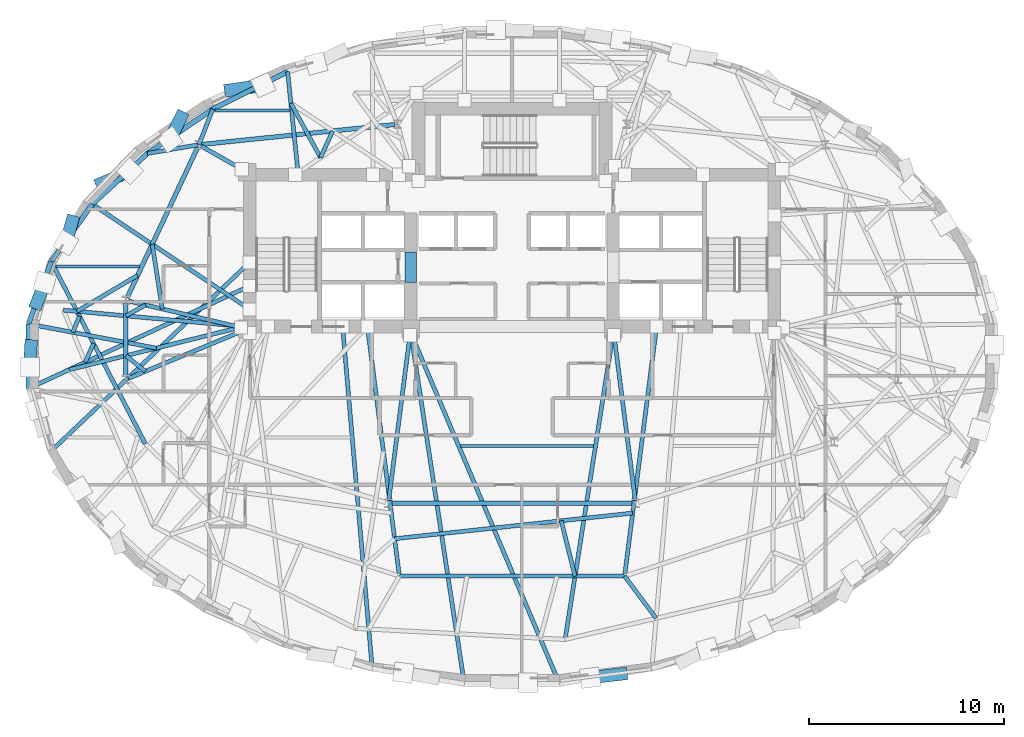
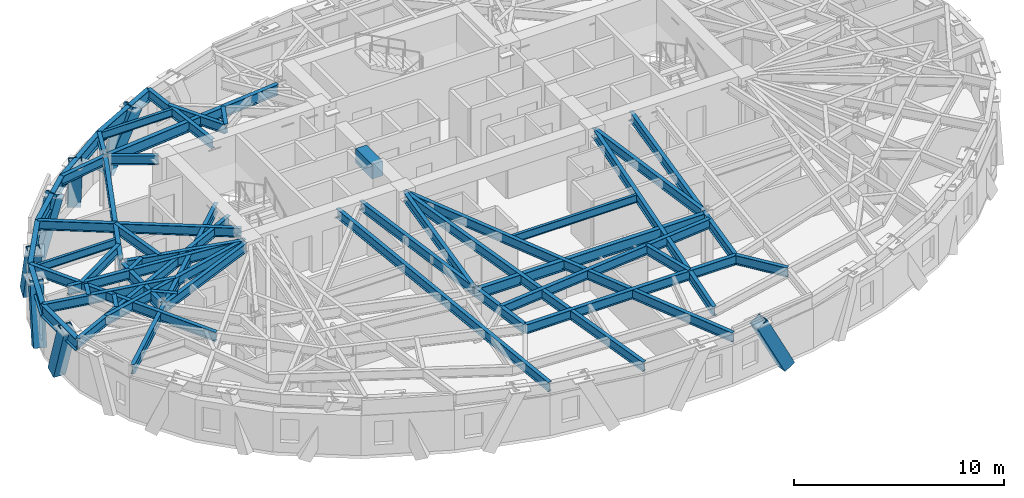
# One storey, part 2 of 14: 47 beams, 7 members.
"""IFC4 building model written with IfcOpenShell, lengths in metres."""

from ifc_helpers import new_model, si_unit, direction, frame, origin, origin_2d, place, context, subcontext, project, spatial, rectangle, hollow_rectangle, i_section, extrude, material, material_profile, profile_set, type_object, element, save


model = new_model("IFC4")

# Units and contexts
model_context = context("Model", 3, precision=1e-05, world=origin(), true_north=direction((0.0, 1.0)))
body_context = subcontext(model_context, "Body", "Model", "MODEL_VIEW")
ifc_project = project(units=[si_unit("LENGTHUNIT", "METRE"), si_unit("AREAUNIT", "SQUARE_METRE"), si_unit("VOLUMEUNIT", "CUBIC_METRE"), si_unit("PLANEANGLEUNIT", "RADIAN"), si_unit("MASSUNIT", "GRAM", prefix="KILO")], contexts=[model_context])

# Site, building, storey
site_placement = place(None, origin())
site = spatial("IfcSite", under=ifc_project, at=site_placement, CompositionType="ELEMENT")
building_placement = place(site_placement, origin())
building = spatial("IfcBuilding", under=site, at=building_placement, Name="Keldmark Tower", CompositionType="ELEMENT")
storey_placement = place(building_placement, frame((0.0, 0.0, 169.39990234375)))
storey = spatial("IfcBuildingStorey", under=building, at=storey_placement, Name="L46", CompositionType="ELEMENT", Elevation=169.39990234375)

# Beams
ifc_material_1 = material(Name="Steel ASTM A992 Grade 50", Category="steel")
ifc_material_profile_1 = material_profile(ifc_material_1, i_section(OverallWidth=0.153076171875, OverallDepth=0.455078125, WebThickness=0.008056640625, FlangeThickness=0.01318359375, at=origin_2d()), Name="W18X40")
ifc_profile_set_1 = profile_set([ifc_material_profile_1], Name="Steel ASTM A992 Grade 50")
beam_type_1 = type_object("IfcBeamType", Name="Composite Floor Joist W18X40", PredefinedType="JOIST", material=ifc_profile_set_1)
beam_1_placement = place(storey_placement, frame((-2.63623046875, -4.60009765625, 2.79248046875), z_axis=(1.0, 0.0, 0.0), x_axis=(0.0, 1.0, 0.0)))
element("IfcBeam", 1, at=beam_1_placement, inside=storey, type_object=beam_type_1, Name="L46 Composite Floor Joist J03", PredefinedType="JOIST", context=body_context, shape_type="SweptSolid", body=[
    extrude(i_section(OverallWidth=0.153076171875, OverallDepth=0.455078125, WebThickness=0.008056640625, FlangeThickness=0.01318359375, at=origin_2d()), origin(), (0.0, 0.0, 1.0), 6.828125),
])
beam_2_placement = place(storey_placement, frame((-23.4296875, 4.6201171875, 2.79248046875), z_axis=(1.0, 0.0, 0.0), x_axis=(0.0, 1.0, 0.0)))
element("IfcBeam", 2, at=beam_2_placement, inside=storey, type_object=beam_type_1, Name="L46 Composite Floor Joist J05", PredefinedType="JOIST", context=body_context, shape_type="SweptSolid", body=[
    extrude(i_section(OverallWidth=0.153076171875, OverallDepth=0.455078125, WebThickness=0.008056640625, FlangeThickness=0.01318359375, at=origin_2d()), origin(), (0.0, 0.0, 1.0), 4.30517578125),
])
beam_3_placement = place(storey_placement, frame((-15.241455078125, 12.6201171875, 2.79248046875), z_axis=(1.0, 0.0, 0.0), x_axis=(0.0, 1.0, 0.0)))
element("IfcBeam", 3, at=beam_3_placement, inside=storey, type_object=beam_type_1, Name="L46 Composite Floor Joist J06", PredefinedType="JOIST", context=body_context, shape_type="SweptSolid", body=[
    extrude(i_section(OverallWidth=0.153076171875, OverallDepth=0.455078125, WebThickness=0.008056640625, FlangeThickness=0.01318359375, at=origin_2d()), origin(), (0.0, 0.0, 1.0), 3.827392578125),
])
ifc_material_2 = material(Name="Concrete C50/60", Category="concrete")
ifc_material_profile_2 = material_profile(ifc_material_2, rectangle(XDim=0.60009765625, YDim=0.85009765625, at=origin_2d()), Name="RCB600X850")
ifc_profile_set_2 = profile_set([ifc_material_profile_2], Name="Concrete C50/60")
beam_type_2 = type_object("IfcBeamType", Name="Core Coupling Beam RCB600X850", PredefinedType="USERDEFINED", material=ifc_profile_set_2)
beam_4_placement = place(storey_placement, frame((-5.199951171875, 3.800048828125, 2.59521484375), z_axis=(0.0, 1.0, 0.0), x_axis=(-1.0, 0.0, 0.0)))
element("IfcBeam", 4, at=beam_4_placement, inside=storey, type_object=beam_type_2, Name="L46 West Core Coupling Beam", ObjectType="COUPLING BEAM", PredefinedType="USERDEFINED", context=body_context, shape_type="SweptSolid", body=[
    extrude(rectangle(XDim=0.60009765625, YDim=0.85009765625, at=origin_2d()), origin(), (0.0, 0.0, 1.0), 1.550048828125),
])

# Members
ifc_material_3 = material(Name="Steel ASTM A572 Grade 50", Category="steel")
ifc_material_profile_3 = material_profile(ifc_material_3, hollow_rectangle(XDim=0.64990234375, YDim=0.64990234375, WallThickness=0.0400390625, at=origin_2d()), Name="BOX650X650X40")
ifc_profile_set_3 = profile_set([ifc_material_profile_3], Name="Steel ASTM A572 Grade 50")
member_type = type_object("IfcMemberType", Name="Diagrid Zone 3 Brace BOX650X650X40", PredefinedType="BRACE", material=ifc_profile_set_3)
member_1_placement = place(storey_placement, frame((-14.484619140625, 13.6708984375, -0.260009765625), z_axis=(0.474323201213, 0.069629778108, 0.877592841124), x_axis=(-0.145241555649, 0.989396225237, 0.0)))
element("IfcMember", 5, at=member_1_placement, inside=storey, type_object=member_type, Name="L46 Perimeter Diagrid Brace 06A", PredefinedType="BRACE", context=body_context, shape_type="SweptSolid", body=[
    extrude(hollow_rectangle(XDim=0.64990234375, YDim=0.64990234375, WallThickness=0.0400390625, at=origin_2d()), origin(), (0.0, 0.0, 1.0), 3.600830078125),
])
member_2_placement = place(storey_placement, frame((-16.99853515625, 12.286376953125, -0.260009765625), z_axis=(-0.166669328667, -0.338989677491, 0.925908922862), x_axis=(0.897399135533, -0.441219663598, 0.0)))
element("IfcMember", 6, at=member_2_placement, inside=storey, type_object=member_type, Name="L46 Perimeter Diagrid Brace 06B", PredefinedType="BRACE", context=body_context, shape_type="SweptSolid", body=[
    extrude(hollow_rectangle(XDim=0.64990234375, YDim=0.64990234375, WallThickness=0.0400390625, at=origin_2d()), origin(), (0.0, 0.0, 1.0), 3.4130859375),
])
member_3_placement = place(storey_placement, frame((-21.0947265625, 8.873291015625, -0.260009765625), z_axis=(0.415221725478, 0.179881188854, 0.891758754702), x_axis=(-0.397517710942, 0.917594501666, 0.0)))
element("IfcMember", 7, at=member_3_placement, inside=storey, type_object=member_type, Name="L46 Perimeter Diagrid Brace 07A", PredefinedType="BRACE", context=body_context, shape_type="SweptSolid", body=[
    extrude(hollow_rectangle(XDim=0.64990234375, YDim=0.64990234375, WallThickness=0.0400390625, at=origin_2d()), origin(), (0.0, 0.0, 1.0), 3.543701171875),
])
member_4_placement = place(storey_placement, frame((-22.590576171875, 6.929931640625, -0.260009765625), z_axis=(-0.095126967393, -0.329860559703, 0.939224611702), x_axis=(0.960843072327, -0.277093107748, 0.0)))
element("IfcMember", 8, at=member_4_placement, inside=storey, type_object=member_type, Name="L46 Perimeter Diagrid Brace 07B", PredefinedType="BRACE", context=body_context, shape_type="SweptSolid", body=[
    extrude(hollow_rectangle(XDim=0.64990234375, YDim=0.64990234375, WallThickness=0.0400390625, at=origin_2d()), origin(), (0.0, 0.0, 1.0), 3.36474609375),
])
member_5_placement = place(storey_placement, frame((-24.405517578125, 2.72021484375, -0.260009765625), z_axis=(0.121565559508, 0.315474259992, 0.941115192749), x_axis=(-0.933118171682, 0.3595698509, 0.0)))
element("IfcMember", 9, at=member_5_placement, inside=storey, type_object=member_type, Name="L46 Perimeter Diagrid Brace 08A", PredefinedType="BRACE", context=body_context, shape_type="SweptSolid", body=[
    extrude(hollow_rectangle(XDim=0.64990234375, YDim=0.64990234375, WallThickness=0.0400390625, at=origin_2d()), origin(), (0.0, 0.0, 1.0), 3.35791015625),
])
member_6_placement = place(storey_placement, frame((-24.706298828125, 0.54541015625, -0.260009765625), z_axis=(-0.020052637089, -0.329738272431, 0.943859398131), x_axis=(0.998155954241, -0.060701655775, 0.0)))
element("IfcMember", 10, at=member_6_placement, inside=storey, type_object=member_type, Name="L46 Perimeter Diagrid Brace 08B", PredefinedType="BRACE", context=body_context, shape_type="SweptSolid", body=[
    extrude(hollow_rectangle(XDim=0.64990234375, YDim=0.64990234375, WallThickness=0.0400390625, at=origin_2d()), origin(), (0.0, 0.0, 1.0), 3.34814453125),
])
member_7_placement = place(storey_placement, frame((5.6318359375, -16.3173828125, -0.260009765625), z_axis=(-0.454228727365, -0.054408522697, 0.889222118424), x_axis=(0.11893204744, -0.992902396055, 0.0)))
element("IfcMember", 11, at=member_7_placement, inside=storey, type_object=member_type, Name="L46 Perimeter Diagrid Brace 13A", PredefinedType="BRACE", context=body_context, shape_type="SweptSolid", body=[
    extrude(hollow_rectangle(XDim=0.64990234375, YDim=0.64990234375, WallThickness=0.0400390625, at=origin_2d()), origin(), (0.0, 0.0, 1.0), 3.553955078125),
])

# Beams
ifc_material_4 = material(Name="Steel ASTM A992 Grade 50", Category="steel")
ifc_material_profile_4 = material_profile(ifc_material_4, i_section(OverallWidth=0.22900390625, OverallDepth=0.612060546875, WebThickness=0.011962890625, FlangeThickness=0.01953125, at=origin_2d()), Name="W24X84")
ifc_profile_set_4 = profile_set([ifc_material_profile_4], Name="Steel ASTM A992 Grade 50")
beam_type_3 = type_object("IfcBeamType", Name="Primary Floor Girder W24X84", PredefinedType="BEAM", material=ifc_profile_set_4)
beam_5_placement = place(storey_placement, frame((-6.01953125, 11.90087890625, 2.714111328125), z_axis=(-0.994702930931, -0.102791435423, 0.0), x_axis=(0.102791435423, -0.994702930931, 0.0)))
element("IfcBeam", 12, at=beam_5_placement, inside=storey, type_object=beam_type_3, Name="L46 Floor Ring Girder FG-R04", PredefinedType="BEAM", context=body_context, shape_type="SweptSolid", body=[
    extrude(i_section(OverallWidth=0.22900390625, OverallDepth=0.612060546875, WebThickness=0.011962890625, FlangeThickness=0.01953125, at=origin_2d()), origin(), (0.0, 0.0, 1.0), 9.975341796875),
])
beam_6_placement = place(storey_placement, frame((-16.140869140625, 10.734130859375, 2.714111328125), z_axis=(-0.424526823774, -0.905415360979, 0.0), x_axis=(0.905415360979, -0.424526823774, 0.0)))
element("IfcBeam", 13, at=beam_6_placement, inside=storey, type_object=beam_type_3, Name="L46 Floor Ring Girder FG-R05", PredefinedType="BEAM", context=body_context, shape_type="SweptSolid", body=[
    extrude(i_section(OverallWidth=0.22900390625, OverallDepth=0.612060546875, WebThickness=0.011962890625, FlangeThickness=0.01953125, at=origin_2d()), origin(), (0.0, 0.0, 1.0), 8.54638671875),
])
beam_7_placement = place(storey_placement, frame((-19.828369140625, 2.729248046875, 2.714111328125), z_axis=(0.0, -1.0, 0.0), x_axis=(1.0, 0.0, 0.0)))
element("IfcBeam", 14, at=beam_7_placement, inside=storey, type_object=beam_type_3, Name="L46 Floor Ring Girder FG-R06", PredefinedType="BEAM", context=body_context, shape_type="SweptSolid", body=[
    extrude(i_section(OverallWidth=0.22900390625, OverallDepth=0.612060546875, WebThickness=0.011962890625, FlangeThickness=0.01953125, at=origin_2d()), origin(), (0.0, 0.0, 1.0), 3.778564453125),
])
beam_8_placement = place(storey_placement, frame((-6.211181640625, -7.546142578125, 2.714111328125), z_axis=(1.0, 0.0, 0.0), x_axis=(0.0, 1.0, 0.0)))
element("IfcBeam", 15, at=beam_8_placement, inside=storey, type_object=beam_type_3, Name="L46 Floor Ring Girder FG-R09", PredefinedType="BEAM", context=body_context, shape_type="SweptSolid", body=[
    extrude(i_section(OverallWidth=0.22900390625, OverallDepth=0.612060546875, WebThickness=0.011962890625, FlangeThickness=0.01953125, at=origin_2d()), origin(), (0.0, 0.0, 1.0), 12.42236328125),
])
ifc_material_5 = material(Name="Steel ASTM A992 Grade 50", Category="steel")
ifc_material_profile_5 = material_profile(ifc_material_5, i_section(OverallWidth=0.2099609375, OverallDepth=0.537109375, WebThickness=0.010986328125, FlangeThickness=0.017333984375, at=origin_2d()), Name="W21X68")
ifc_profile_set_5 = profile_set([ifc_material_profile_5], Name="Steel ASTM A992 Grade 50")
beam_type_4 = type_object("IfcBeamType", Name="Radial Tie Girder W21X68", PredefinedType="BEAM", material=ifc_profile_set_5)
beam_9_placement = place(storey_placement, frame((-15.959716796875, 10.791748046875, 2.751708984375), z_axis=(0.86929527307, -0.494293160197, 0.0), x_axis=(0.494293160197, 0.86929527307, 0.0)))
element("IfcBeam", 16, at=beam_9_placement, inside=storey, type_object=beam_type_4, Name="L46 Floor Radial Girder FG-C05", PredefinedType="BEAM", context=body_context, shape_type="SweptSolid", body=[
    extrude(i_section(OverallWidth=0.2099609375, OverallDepth=0.537109375, WebThickness=0.010986328125, FlangeThickness=0.017333984375, at=origin_2d()), origin(), (0.0, 0.0, 1.0), 2.39453125),
])
beam_10_placement = place(storey_placement, frame((-19.692138671875, 2.837158203125, 2.751708984375), z_axis=(0.973280062348, -0.229621253887, 0.0), x_axis=(0.229621253887, 0.973280062348, 0.0)))
element("IfcBeam", 17, at=beam_10_placement, inside=storey, type_object=beam_type_4, Name="L46 Floor Radial Girder FG-C06", PredefinedType="BEAM", context=body_context, shape_type="SweptSolid", body=[
    extrude(i_section(OverallWidth=0.2099609375, OverallDepth=0.537109375, WebThickness=0.010986328125, FlangeThickness=0.017333984375, at=origin_2d()), origin(), (0.0, 0.0, 1.0), 5.939208984375),
])
beam_11_placement = place(storey_placement, frame((-19.69921875, -1.135498046875, 2.751708984375), z_axis=(0.923393794893, 0.383854008124, 0.0), x_axis=(-0.383854008124, 0.923393794893, 0.0)))
element("IfcBeam", 18, at=beam_11_placement, inside=storey, type_object=beam_type_4, Name="L46 Floor Radial Girder FG-C07", PredefinedType="BEAM", context=body_context, shape_type="SweptSolid", body=[
    extrude(i_section(OverallWidth=0.2099609375, OverallDepth=0.537109375, WebThickness=0.010986328125, FlangeThickness=0.017333984375, at=origin_2d()), origin(), (0.0, 0.0, 1.0), 6.28515625),
])
for number, where, z_axis, x_axis, name in (
    (19, (-6.333251953125, -7.4072265625, 2.751708984375), (0.127635577416, 0.991821132754, 0.0), (-0.991821132754, 0.127635577416, 0.0), "L46 Floor Radial Girder FG-C09"),
    (20, (6.333251953125, -7.4072265625, 2.751708984375), (-0.127635577416, 0.991821132754, 0.0), (-0.991821132754, -0.127635577416, 0.0), "L46 Floor Radial Girder FG-C10"),
):
    element("IfcBeam", number, at=place(storey_placement, frame(where, z_axis=z_axis, x_axis=x_axis)), inside=storey, type_object=beam_type_4, Name=name, PredefinedType="BEAM", context=body_context, shape_type="SweptSolid", body=[
        extrude(i_section(OverallWidth=0.2099609375, OverallDepth=0.537109375, WebThickness=0.010986328125, FlangeThickness=0.017333984375, at=origin_2d()), origin(), (0.0, 0.0, 1.0), 8.559814453125),
    ])
beam_12_placement = place(storey_placement, frame((-18.82861328125, -0.773681640625, 2.751708984375), z_axis=(-0.779659979742, 0.626203094841, 0.0), x_axis=(-0.626203094841, -0.779659979742, 0.0)))
element("IfcBeam", 21, at=beam_12_placement, inside=storey, type_object=beam_type_4, Name="L46 Framing Pin Header PH-003", PredefinedType="BEAM", context=body_context, shape_type="SweptSolid", body=[
    extrude(i_section(OverallWidth=0.2099609375, OverallDepth=0.537109375, WebThickness=0.010986328125, FlangeThickness=0.017333984375, at=origin_2d()), origin(), (0.0, 0.0, 1.0), 1.2822265625),
])
beam_13_placement = place(storey_placement, frame((-13.800048828125, 1.52490234375, 2.751708984375), z_axis=(-0.970574721471, -0.240800145436, 0.0), x_axis=(0.240800145436, -0.970574721471, 0.0)))
element("IfcBeam", 22, at=beam_13_placement, inside=storey, type_object=beam_type_4, Name="L46 Sub-Ring Step Girder STP1-M07", PredefinedType="BEAM", context=body_context, shape_type="SweptSolid", body=[
    extrude(i_section(OverallWidth=0.2099609375, OverallDepth=0.537109375, WebThickness=0.010986328125, FlangeThickness=0.017333984375, at=origin_2d()), origin(), (0.0, 0.0, 1.0), 9.203857421875),
])
beam_14_placement = place(storey_placement, frame((-7.425048828125, 1.52490234375, 2.751708984375), z_axis=(0.127042335569, -0.991897295577, 0.0), x_axis=(0.991897295577, 0.127042335569, 0.0)))
element("IfcBeam", 23, at=beam_14_placement, inside=storey, type_object=beam_type_4, Name="L46 Sub-Ring Step Girder STP1-M09", PredefinedType="BEAM", context=body_context, shape_type="SweptSolid", body=[
    extrude(i_section(OverallWidth=0.2099609375, OverallDepth=0.537109375, WebThickness=0.010986328125, FlangeThickness=0.017333984375, at=origin_2d()), origin(), (0.0, 0.0, 1.0), 12.925537109375),
])
beam_15_placement = place(storey_placement, frame((-6.029296875, -9.372802734375, 2.751708984375), z_axis=(0.994241739995, 0.1071604519, 0.0), x_axis=(-0.1071604519, 0.994241739995, 0.0)))
element("IfcBeam", 24, at=beam_15_placement, inside=storey, type_object=beam_type_4, Name="L46 Framing Pin Header PH-006", PredefinedType="BEAM", context=body_context, shape_type="SweptSolid", body=[
    extrude(i_section(OverallWidth=0.2099609375, OverallDepth=0.537109375, WebThickness=0.010986328125, FlangeThickness=0.017333984375, at=origin_2d()), origin(), (0.0, 0.0, 1.0), 12.298095703125),
])
beam_16_placement = place(storey_placement, frame((7.425048828125, 1.52490234375, 2.751708984375), z_axis=(-0.127042335569, -0.991897295577, 0.0), x_axis=(0.991897295577, -0.127042335569, 0.0)))
element("IfcBeam", 25, at=beam_16_placement, inside=storey, type_object=beam_type_4, Name="L46 Sub-Ring Step Girder STP1-M10", PredefinedType="BEAM", context=body_context, shape_type="SweptSolid", body=[
    extrude(i_section(OverallWidth=0.2099609375, OverallDepth=0.537109375, WebThickness=0.010986328125, FlangeThickness=0.017333984375, at=origin_2d()), origin(), (0.0, 0.0, 1.0), 12.925537109375),
])
beam_17_placement = place(storey_placement, frame((-5.782958984375, -11.2958984375, 2.751708984375), z_axis=(1.0, 0.0, 0.0), x_axis=(0.0, 1.0, 0.0)))
element("IfcBeam", 26, at=beam_17_placement, inside=storey, type_object=beam_type_4, Name="L46 Perimeter Collector Ring Beam CRG1-M09", PredefinedType="BEAM", context=body_context, shape_type="SweptSolid", body=[
    extrude(i_section(OverallWidth=0.2099609375, OverallDepth=0.537109375, WebThickness=0.010986328125, FlangeThickness=0.017333984375, at=origin_2d()), origin(), (0.0, 0.0, 1.0), 11.56591796875),
])
beam_18_placement = place(storey_placement, frame((-18.824951171875, 2.632568359375, 2.751708984375), z_axis=(-0.874187373168, -0.485588752541, 0.0), x_axis=(0.485588752541, -0.874187373168, 0.0)))
element("IfcBeam", 27, at=beam_18_placement, inside=storey, type_object=beam_type_4, Name="L46 Framing Pin Header PH-010", PredefinedType="BEAM", context=body_context, shape_type="SweptSolid", body=[
    extrude(i_section(OverallWidth=0.2099609375, OverallDepth=0.537109375, WebThickness=0.010986328125, FlangeThickness=0.017333984375, at=origin_2d()), origin(), (0.0, 0.0, 1.0), 1.14794921875),
])
beam_19_placement = place(storey_placement, frame((-13.800048828125, 1.52490234375, 2.751708984375), z_axis=(-0.995856644252, 0.090937033707, 0.0), x_axis=(-0.090937033707, -0.995856644252, 0.0)))
element("IfcBeam", 28, at=beam_19_placement, inside=storey, type_object=beam_type_4, Name="L46 Sub-Ring Step Girder STP2-M07", PredefinedType="BEAM", context=body_context, shape_type="SweptSolid", body=[
    extrude(i_section(OverallWidth=0.2099609375, OverallDepth=0.537109375, WebThickness=0.010986328125, FlangeThickness=0.017333984375, at=origin_2d()), origin(), (0.0, 0.0, 1.0), 9.270263671875),
])
beam_20_placement = place(storey_placement, frame((2.52978515625, -8.4501953125, 2.751708984375), z_axis=(0.241438467612, -0.970416130512, 0.0), x_axis=(0.970416130512, 0.241438467612, 0.0)))
element("IfcBeam", 29, at=beam_20_placement, inside=storey, type_object=beam_type_4, Name="L46 Framing Pin Header PH-013", PredefinedType="BEAM", context=body_context, shape_type="SweptSolid", body=[
    extrude(i_section(OverallWidth=0.2099609375, OverallDepth=0.537109375, WebThickness=0.010986328125, FlangeThickness=0.017333984375, at=origin_2d()), origin(), (0.0, 0.0, 1.0), 2.932373046875),
])
beam_21_placement = place(storey_placement, frame((5.199951171875, 1.199951171875, 2.751708984375), z_axis=(-0.155119314451, -0.987895742619, 0.0), x_axis=(0.987895742619, -0.155119314451, 0.0)))
element("IfcBeam", 30, at=beam_21_placement, inside=storey, type_object=beam_type_4, Name="L46 Sub-Ring Step Girder STP2-M10", PredefinedType="BEAM", context=body_context, shape_type="SweptSolid", body=[
    extrude(i_section(OverallWidth=0.2099609375, OverallDepth=0.537109375, WebThickness=0.010986328125, FlangeThickness=0.017333984375, at=origin_2d()), origin(), (0.0, 0.0, 1.0), 15.938720703125),
])
beam_22_placement = place(storey_placement, frame((-9.832275390625, 10.202880859375, 2.751708984375), z_axis=(0.415452915794, 0.909614684775, 0.0), x_axis=(-0.909614684775, 0.415452915794, 0.0)))
element("IfcBeam", 31, at=beam_22_placement, inside=storey, type_object=beam_type_4, Name="L46 Framing Pin Header PH-025", PredefinedType="BEAM", context=body_context, shape_type="SweptSolid", body=[
    extrude(i_section(OverallWidth=0.2099609375, OverallDepth=0.537109375, WebThickness=0.010986328125, FlangeThickness=0.017333984375, at=origin_2d()), origin(), (0.0, 0.0, 1.0), 1.50439453125),
])
beam_23_placement = place(storey_placement, frame((-9.832275390625, 10.202880859375, 2.751708984375), z_axis=(-0.479498066509, 0.877542935823, 0.0), x_axis=(-0.877542935823, -0.479498066509, 0.0)))
element("IfcBeam", 32, at=beam_23_placement, inside=storey, type_object=beam_type_4, Name="L46 Local Collector Chord RT-11C", PredefinedType="BEAM", context=body_context, shape_type="SweptSolid", body=[
    extrude(i_section(OverallWidth=0.2099609375, OverallDepth=0.537109375, WebThickness=0.010986328125, FlangeThickness=0.017333984375, at=origin_2d()), origin(), (0.0, 0.0, 1.0), 3.17724609375),
])
beam_24_placement = place(storey_placement, frame((-16.08154296875, 10.861083984375, 2.751708984375), z_axis=(0.363350663933, 0.931652453987, 0.0), x_axis=(-0.931652453987, 0.363350663933, 0.0)))
element("IfcBeam", 33, at=beam_24_placement, inside=storey, type_object=beam_type_4, Name="L46 Perimeter Column Bracket RT-12", PredefinedType="BEAM", context=body_context, shape_type="SweptSolid", body=[
    extrude(i_section(OverallWidth=0.2099609375, OverallDepth=0.537109375, WebThickness=0.010986328125, FlangeThickness=0.017333984375, at=origin_2d()), origin(), (0.0, 0.0, 1.0), 1.966796875),
])
beam_25_placement = place(storey_placement, frame((-16.08154296875, 10.861083984375, 2.751708984375), z_axis=(-0.986191294506, -0.165610176742, 0.0), x_axis=(0.165610176742, -0.986191294506, 0.0)))
element("IfcBeam", 34, at=beam_25_placement, inside=storey, type_object=beam_type_4, Name="L46 Perimeter Column Bracket RT-13", PredefinedType="BEAM", context=body_context, shape_type="SweptSolid", body=[
    extrude(i_section(OverallWidth=0.2099609375, OverallDepth=0.537109375, WebThickness=0.010986328125, FlangeThickness=0.017333984375, at=origin_2d()), origin(), (0.0, 0.0, 1.0), 2.68017578125),
])
beam_26_placement = place(storey_placement, frame((-17.9580078125, 2.427978515625, 2.751708984375), z_axis=(-0.154385737013, 0.988010649845, 0.0), x_axis=(-0.988010649845, -0.154385737013, 0.0)))
element("IfcBeam", 35, at=beam_26_placement, inside=storey, type_object=beam_type_4, Name="L46 Framing Pin Header PH-026", PredefinedType="BEAM", context=body_context, shape_type="SweptSolid", body=[
    extrude(i_section(OverallWidth=0.2099609375, OverallDepth=0.537109375, WebThickness=0.010986328125, FlangeThickness=0.017333984375, at=origin_2d()), origin(), (0.0, 0.0, 1.0), 3.363525390625),
])
beam_27_placement = place(storey_placement, frame((-13.47509765625, 2.406982421875, 2.751708984375), z_axis=(-0.831311848885, 0.555806270119, 0.0), x_axis=(-0.555806270119, -0.831311848885, 0.0)))
element("IfcBeam", 36, at=beam_27_placement, inside=storey, type_object=beam_type_4, Name="L46 Perimeter Radial Tie Girder RT-14", PredefinedType="BEAM", context=body_context, shape_type="SweptSolid", body=[
    extrude(i_section(OverallWidth=0.2099609375, OverallDepth=0.537109375, WebThickness=0.010986328125, FlangeThickness=0.017333984375, at=origin_2d()), origin(), (0.0, 0.0, 1.0), 9.724609375),
])
beam_28_placement = place(storey_placement, frame((-19.224853515625, 4.15673828125, 2.751708984375), z_axis=(-0.859806717058, -0.510619632703, 0.0), x_axis=(0.510619632703, -0.859806717058, 0.0)))
element("IfcBeam", 37, at=beam_28_placement, inside=storey, type_object=beam_type_4, Name="L46 Framing Pin Header PH-027", PredefinedType="BEAM", context=body_context, shape_type="SweptSolid", body=[
    extrude(i_section(OverallWidth=0.2099609375, OverallDepth=0.537109375, WebThickness=0.010986328125, FlangeThickness=0.017333984375, at=origin_2d()), origin(), (0.0, 0.0, 1.0), 3.626708984375),
])
beam_29_placement = place(storey_placement, frame((-18.83154296875, -4.4951171875, 2.751708984375), z_axis=(-0.45880818225, 0.888535340828, 0.0), x_axis=(-0.888535340828, -0.45880818225, 0.0)))
element("IfcBeam", 38, at=beam_29_placement, inside=storey, type_object=beam_type_4, Name="L46 Perimeter Radial Tie Girder RT-15", PredefinedType="BEAM", context=body_context, shape_type="SweptSolid", body=[
    extrude(i_section(OverallWidth=0.2099609375, OverallDepth=0.537109375, WebThickness=0.010986328125, FlangeThickness=0.017333984375, at=origin_2d()), origin(), (0.0, 0.0, 1.0), 10.535888671875),
])
beam_30_placement = place(storey_placement, frame((-22.21533203125, 2.05810546875, 2.751708984375), z_axis=(-0.381351247914, -0.92443021679, 0.0), x_axis=(0.92443021679, -0.381351247914, 0.0)))
element("IfcBeam", 39, at=beam_30_placement, inside=storey, type_object=beam_type_4, Name="L46 Framing Pin Header PH-028", PredefinedType="BEAM", context=body_context, shape_type="SweptSolid", body=[
    extrude(i_section(OverallWidth=0.2099609375, OverallDepth=0.537109375, WebThickness=0.010986328125, FlangeThickness=0.017333984375, at=origin_2d()), origin(), (0.0, 0.0, 1.0), 0.898193359375),
])
beam_31_placement = place(storey_placement, frame((-18.2666015625, 0.416748046875, 2.751708984375), z_axis=(-0.982601070539, 0.185728662774, 0.0), x_axis=(-0.185728662774, -0.982601070539, 0.0)))
element("IfcBeam", 40, at=beam_31_placement, inside=storey, type_object=beam_type_4, Name="L46 Perimeter Radial Tie Girder RT-16", PredefinedType="BEAM", context=body_context, shape_type="SweptSolid", body=[
    extrude(i_section(OverallWidth=0.2099609375, OverallDepth=0.537109375, WebThickness=0.010986328125, FlangeThickness=0.017333984375, at=origin_2d()), origin(), (0.0, 0.0, 1.0), 6.682861328125),
])
beam_32_placement = place(storey_placement, frame((-21.490234375, 0.65380859375, 2.751708984375), z_axis=(-0.408829250649, -0.912610893982, 0.0), x_axis=(0.912610893982, -0.408829250649, 0.0)))
element("IfcBeam", 41, at=beam_32_placement, inside=storey, type_object=beam_type_4, Name="L46 Framing Pin Header PH-029", PredefinedType="BEAM", context=body_context, shape_type="SweptSolid", body=[
    extrude(i_section(OverallWidth=0.2099609375, OverallDepth=0.537109375, WebThickness=0.010986328125, FlangeThickness=0.017333984375, at=origin_2d()), origin(), (0.0, 0.0, 1.0), 1.051513671875),
])
beam_33_placement = place(storey_placement, frame((-13.47509765625, 3.6142578125, 2.751708984375), z_axis=(-0.907045932327, -0.421031681289, 0.0), x_axis=(0.421031681289, -0.907045932327, 0.0)))
element("IfcBeam", 42, at=beam_33_placement, inside=storey, type_object=beam_type_4, Name="L46 Perimeter Radial Tie Girder RT-17", PredefinedType="BEAM", context=body_context, shape_type="SweptSolid", body=[
    extrude(i_section(OverallWidth=0.2099609375, OverallDepth=0.537109375, WebThickness=0.010986328125, FlangeThickness=0.017333984375, at=origin_2d()), origin(), (0.0, 0.0, 1.0), 12.522216796875),
])
beam_34_placement = place(storey_placement, frame((-13.47509765625, 4.8212890625, 2.751708984375), z_axis=(-0.724756617607, -0.689004967496, 0.0), x_axis=(0.689004967496, -0.724756617607, 0.0)))
element("IfcBeam", 43, at=beam_34_placement, inside=storey, type_object=beam_type_4, Name="L46 Perimeter Radial Tie Girder RT-18", PredefinedType="BEAM", context=body_context, shape_type="SweptSolid", body=[
    extrude(i_section(OverallWidth=0.2099609375, OverallDepth=0.537109375, WebThickness=0.010986328125, FlangeThickness=0.017333984375, at=origin_2d()), origin(), (0.0, 0.0, 1.0), 14.060546875),
])
beam_35_placement = place(storey_placement, frame((-8.699951171875, 1.52490234375, 2.751708984375), z_axis=(0.086256797768, -0.99627293692, 0.0), x_axis=(0.99627293692, 0.086256797768, 0.0)))
element("IfcBeam", 44, at=beam_35_placement, inside=storey, type_object=beam_type_4, Name="L46 Perimeter Radial Tie Girder RT-23", PredefinedType="BEAM", context=body_context, shape_type="SweptSolid", body=[
    extrude(i_section(OverallWidth=0.2099609375, OverallDepth=0.537109375, WebThickness=0.010986328125, FlangeThickness=0.017333984375, at=origin_2d()), origin(), (0.0, 0.0, 1.0), 17.63330078125),
])
beam_36_placement = place(storey_placement, frame((-5.199951171875, 1.199951171875, 2.751708984375), z_axis=(0.150968003825, -0.988538649634, 0.0), x_axis=(0.988538649634, 0.150968003825, 0.0)))
element("IfcBeam", 45, at=beam_36_placement, inside=storey, type_object=beam_type_4, Name="L46 Perimeter Radial Tie Girder RT-24", PredefinedType="BEAM", context=body_context, shape_type="SweptSolid", body=[
    extrude(i_section(OverallWidth=0.2099609375, OverallDepth=0.537109375, WebThickness=0.010986328125, FlangeThickness=0.017333984375, at=origin_2d()), origin(), (0.0, 0.0, 1.0), 18.2431640625),
])
beam_37_placement = place(storey_placement, frame((-5.199951171875, 1.199951171875, 2.751708984375), z_axis=(0.390328659, -0.920675587796, 0.0), x_axis=(0.920675587796, 0.390328659, 0.0)))
element("IfcBeam", 46, at=beam_37_placement, inside=storey, type_object=beam_type_4, Name="L46 Perimeter Radial Tie Girder RT-25", PredefinedType="BEAM", context=body_context, shape_type="SweptSolid", body=[
    extrude(i_section(OverallWidth=0.2099609375, OverallDepth=0.537109375, WebThickness=0.010986328125, FlangeThickness=0.017333984375, at=origin_2d()), origin(), (0.0, 0.0, 1.0), 19.587890625),
])
beam_38_placement = place(storey_placement, frame((5.782958984375, -11.2958984375, 2.751708984375), z_axis=(0.600028938456, -0.79997829534, 0.0), x_axis=(0.79997829534, 0.600028938456, 0.0)))
element("IfcBeam", 47, at=beam_38_placement, inside=storey, type_object=beam_type_4, Name="L46 Framing Pin Header PH-038", PredefinedType="BEAM", context=body_context, shape_type="SweptSolid", body=[
    extrude(i_section(OverallWidth=0.2099609375, OverallDepth=0.537109375, WebThickness=0.010986328125, FlangeThickness=0.017333984375, at=origin_2d()), origin(), (0.0, 0.0, 1.0), 2.69970703125),
])
beam_39_placement = place(storey_placement, frame((-10.9873046875, 9.425048828125, 2.751708984375), z_axis=(-0.102801768425, 0.994701863077, 0.0), x_axis=(-0.994701863077, -0.102801768425, 0.0)))
element("IfcBeam", 48, at=beam_39_placement, inside=storey, type_object=beam_type_4, Name="L46 Perimeter Radial Tie Girder RT-11R", PredefinedType="BEAM", context=body_context, shape_type="SweptSolid", body=[
    extrude(i_section(OverallWidth=0.2099609375, OverallDepth=0.537109375, WebThickness=0.010986328125, FlangeThickness=0.017333984375, at=origin_2d()), origin(), (0.0, 0.0, 1.0), 5.217529296875),
])
ifc_material_6 = material(Name="Steel ASTM A992 Grade 50", Category="steel")
ifc_material_profile_6 = material_profile(ifc_material_6, i_section(OverallWidth=0.256103515625, OverallDepth=0.693115234375, WebThickness=0.014404296875, FlangeThickness=0.023681640625, at=origin_2d()), Name="W27X114")
ifc_profile_set_6 = profile_set([ifc_material_profile_6], Name="Steel ASTM A992 Grade 50")
beam_type_5 = type_object("IfcBeamType", Name="Spandrel Ring Beam W27X114", PredefinedType="SPANDREL", material=ifc_profile_set_6)
beam_40_placement = place(storey_placement, frame((-11.523681640625, 14.614990234375, 2.673583984375), z_axis=(-0.894427191, -0.4472135955, 0.0), x_axis=(0.4472135955, -0.894427191, 0.0)))
element("IfcBeam", 49, at=beam_40_placement, inside=storey, type_object=beam_type_5, Name="L46 Perimeter Spandrel Ring Beam SRB-11", PredefinedType="SPANDREL", context=body_context, shape_type="SweptSolid", body=[
    extrude(i_section(OverallWidth=0.256103515625, OverallDepth=0.693115234375, WebThickness=0.014404296875, FlangeThickness=0.023681640625, at=origin_2d()), origin(), (0.0, 0.0, 1.0), 4.296875),
])
beam_41_placement = place(storey_placement, frame((-15.366943359375, 12.693359375, 2.673583984375), z_axis=(-0.827738347215, -0.561114274056, 0.0), x_axis=(0.561114274056, -0.827738347215, 0.0)))
element("IfcBeam", 50, at=beam_41_placement, inside=storey, type_object=beam_type_5, Name="L46 Perimeter Spandrel Ring Beam SRB-12", PredefinedType="SPANDREL", context=body_context, shape_type="SweptSolid", body=[
    extrude(i_section(OverallWidth=0.256103515625, OverallDepth=0.693115234375, WebThickness=0.014404296875, FlangeThickness=0.023681640625, at=origin_2d()), origin(), (0.0, 0.0, 1.0), 4.056396484375),
])
beam_42_placement = place(storey_placement, frame((-18.724609375, 10.417236328125, 2.673583984375), z_axis=(-0.736282263947, -0.676674536093, 0.0), x_axis=(0.676674536093, -0.736282263947, 0.0)))
element("IfcBeam", 51, at=beam_42_placement, inside=storey, type_object=beam_type_5, Name="L46 Perimeter Spandrel Ring Beam SRB-13", PredefinedType="SPANDREL", context=body_context, shape_type="SweptSolid", body=[
    extrude(i_section(OverallWidth=0.256103515625, OverallDepth=0.693115234375, WebThickness=0.014404296875, FlangeThickness=0.023681640625, at=origin_2d()), origin(), (0.0, 0.0, 1.0), 3.85009765625),
])
beam_43_placement = place(storey_placement, frame((-21.559326171875, 7.81201171875, 2.673583984375), z_axis=(-0.581646294714, -0.813441815894, 0.0), x_axis=(0.813441815894, -0.581646294714, 0.0)))
element("IfcBeam", 52, at=beam_43_placement, inside=storey, type_object=beam_type_5, Name="L46 Perimeter Spandrel Ring Beam SRB-14", PredefinedType="SPANDREL", context=body_context, shape_type="SweptSolid", body=[
    extrude(i_section(OverallWidth=0.256103515625, OverallDepth=0.693115234375, WebThickness=0.014404296875, FlangeThickness=0.023681640625, at=origin_2d()), origin(), (0.0, 0.0, 1.0), 3.62109375),
])
beam_44_placement = place(storey_placement, frame((-23.66552734375, 4.866455078125, 2.673583984375), z_axis=(-0.342001402358, -0.939699441729, 0.0), x_axis=(0.939699441729, -0.342001402358, 0.0)))
element("IfcBeam", 53, at=beam_44_placement, inside=storey, type_object=beam_type_5, Name="L46 Perimeter Spandrel Ring Beam SRB-15", PredefinedType="SPANDREL", context=body_context, shape_type="SweptSolid", body=[
    extrude(i_section(OverallWidth=0.256103515625, OverallDepth=0.693115234375, WebThickness=0.014404296875, FlangeThickness=0.023681640625, at=origin_2d()), origin(), (0.0, 0.0, 1.0), 3.414306640625),
])
beam_45_placement = place(storey_placement, frame((-24.833251953125, 1.657958984375, 2.673583984375), z_axis=(0.0, -1.0, 0.0), x_axis=(1.0, 0.0, 0.0)))
element("IfcBeam", 54, at=beam_45_placement, inside=storey, type_object=beam_type_5, Name="L46 Perimeter Spandrel Ring Beam SRB-16", PredefinedType="SPANDREL", context=body_context, shape_type="SweptSolid", body=[
    extrude(i_section(OverallWidth=0.256103515625, OverallDepth=0.693115234375, WebThickness=0.014404296875, FlangeThickness=0.023681640625, at=origin_2d()), origin(), (0.0, 0.0, 1.0), 3.31591796875),
])

save(model, "model.ifc")
